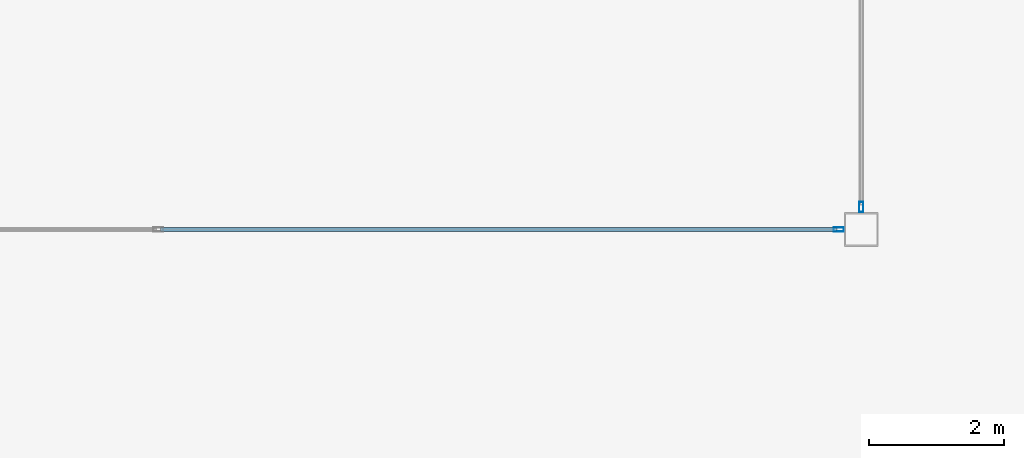
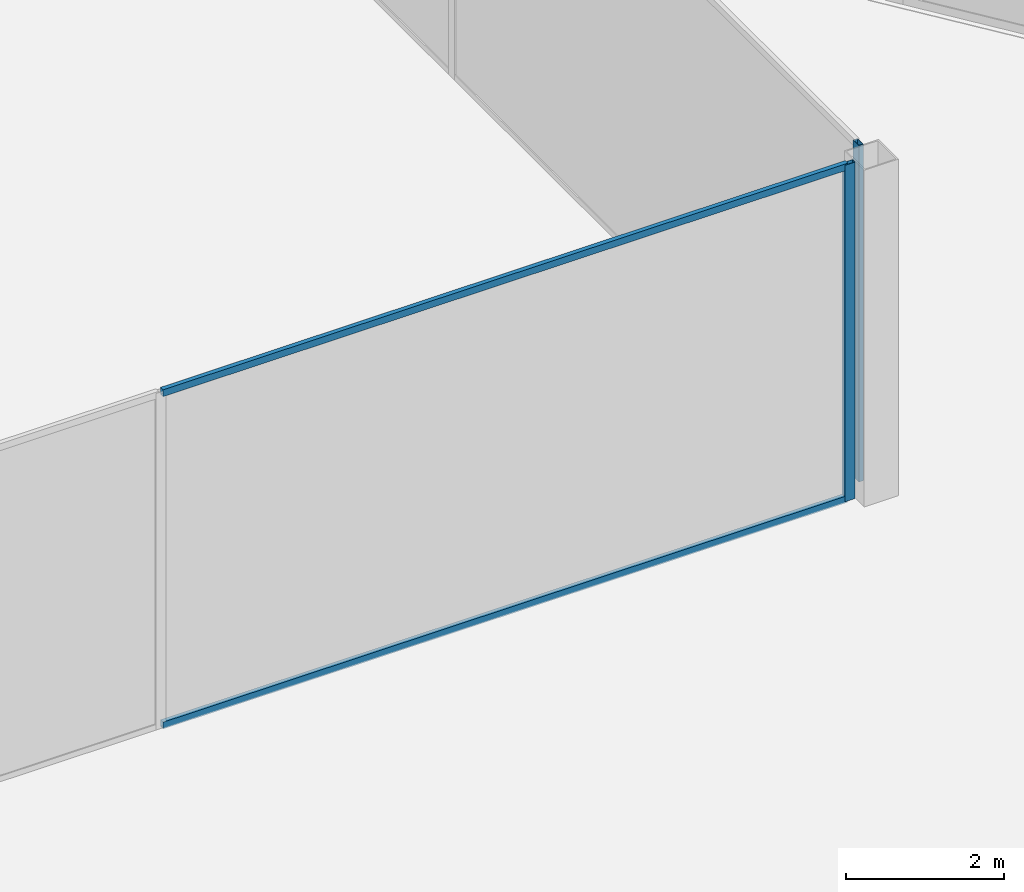
# One storey, part 25 of 83: 4 members, 2 elements without a shape of their own.
"""IFC4 building model written with IfcOpenShell, lengths in metres."""

from ifc_helpers import new_model, si_unit, direction, frame, origin, origin_2d, place, context, subcontext, project, spatial, hollow_rectangle, extrude, material, material_profile, profile_set, type_object, element, aggregate, save


model = new_model("IFC4")

# Units and contexts
model_context = context("Model", 3, precision=1e-05, world=origin(), true_north=direction((0.0, 1.0)))
body_context = subcontext(model_context, "Body", "Model", "MODEL_VIEW")
ifc_project = project(units=[si_unit("LENGTHUNIT", "METRE"), si_unit("AREAUNIT", "SQUARE_METRE"), si_unit("VOLUMEUNIT", "CUBIC_METRE"), si_unit("PLANEANGLEUNIT", "RADIAN"), si_unit("MASSUNIT", "GRAM", prefix="KILO")], contexts=[model_context])

# Site, building, storey
site_placement = place(None, origin())
site = spatial("IfcSite", under=ifc_project, at=site_placement, CompositionType="ELEMENT")
building_placement = place(site_placement, origin())
building = spatial("IfcBuilding", under=site, at=building_placement, Name="Tashvorn Skyway Center", CompositionType="ELEMENT")
storey_placement = place(building_placement, frame((0.0, 0.0, 24.60009765625)))
storey = spatial("IfcBuildingStorey", under=building, at=storey_placement, Name="L05", CompositionType="ELEMENT", Elevation=24.60009765625)

# Curtain wall, member
ifc_material = material(Name="Thermally broken bronze-anodized aluminium 6063-T6", Category="aluminium")
curtain_wall_type = type_object("IfcCurtainWallType", Name="CW-CW-SKY", PredefinedType="NOTDEFINED", material=ifc_material)
curtain_wall_1_placement = place(storey_placement, origin())
curtain_wall_1 = element("IfcCurtainWall", 1, at=curtain_wall_1_placement, inside=storey, type_object=curtain_wall_type, Name="Station Concourse Monitor East Clerestory Curtain Wall", PredefinedType="NOTDEFINED")
ifc_material_profile_1 = material_profile(ifc_material, hollow_rectangle(XDim=0.06494140625, YDim=0.14990234375, WallThickness=0.00390625, at=origin_2d()), Name="ALU-MULL-65x150")
ifc_profile_set_1 = profile_set([ifc_material_profile_1], Name="Thermally broken bronze-anodized aluminium 6063-T6")
member_type_1 = type_object("IfcMemberType", Name="CWM-CW-SKY", PredefinedType="MULLION", material=ifc_profile_set_1)
member_1_placement = place(storey_placement, frame((87.199951171875, 15.132568359375, 0.0), z_axis=(0.0, 0.0, 1.0), x_axis=(1.0, 0.0, 0.0)))
member_1 = element("IfcMember", 2, at=member_1_placement, type_object=member_type_1, Name="CW-SKY mullion 4", PredefinedType="MULLION", context=body_context, shape_type="SweptSolid", body=[
    extrude(hollow_rectangle(XDim=0.06494140625, YDim=0.14990234375, WallThickness=0.00390625, at=origin_2d()), origin(), (0.0, 0.0, 1.0), 5.199951171875),
])
aggregate(curtain_wall_1, [member_1])

# Curtain wall, members
curtain_wall_2_placement = place(storey_placement, origin())
curtain_wall_2 = element("IfcCurtainWall", 3, at=curtain_wall_2_placement, inside=storey, type_object=curtain_wall_type, Name="Station Concourse Monitor South Clerestory Curtain Wall", PredefinedType="NOTDEFINED")
member_2_placement = place(storey_placement, frame((86.867431640625, 14.800048828125, 0.0), z_axis=(0.0, 0.0, 1.0), x_axis=(0.0, -1.0, 0.0)))
member_2 = element("IfcMember", 4, at=member_2_placement, type_object=member_type_1, Name="CW-SKY mullion 1", PredefinedType="MULLION", context=body_context, shape_type="SweptSolid", body=[
    extrude(hollow_rectangle(XDim=0.06494140625, YDim=0.14990234375, WallThickness=0.00390625, at=origin_2d()), origin(), (0.0, 0.0, 1.0), 5.199951171875),
])
ifc_material_profile_2 = material_profile(ifc_material, hollow_rectangle(XDim=0.06494140625, YDim=0.10498046875, WallThickness=0.00390625, at=origin_2d()), Name="ALU-TRAN-65x105")
ifc_profile_set_2 = profile_set([ifc_material_profile_2], Name="Thermally broken bronze-anodized aluminium 6063-T6")
member_type_2 = type_object("IfcMemberType", Name="CWT-CW-SKY", PredefinedType="USERDEFINED", material=ifc_profile_set_2)
member_3_placement = place(storey_placement, frame((86.8349609375, 14.800048828125, 0.032470703125), z_axis=(-1.0, 0.0, 0.0), x_axis=(0.0, -1.0, 0.0)))
member_3 = element("IfcMember", 5, at=member_3_placement, type_object=member_type_2, Name="CW-SKY transom 1.1", ObjectType="TRANSOM", PredefinedType="USERDEFINED", context=body_context, shape_type="SweptSolid", body=[
    extrude(hollow_rectangle(XDim=0.06494140625, YDim=0.10498046875, WallThickness=0.00390625, at=origin_2d()), origin(), (0.0, 0.0, 1.0), 10.00244140625),
])
member_4_placement = place(storey_placement, frame((86.8349609375, 14.800048828125, 5.16748046875), z_axis=(-1.0, 0.0, 0.0), x_axis=(0.0, -1.0, 0.0)))
member_4 = element("IfcMember", 6, at=member_4_placement, type_object=member_type_2, Name="CW-SKY transom 1.2", ObjectType="TRANSOM", PredefinedType="USERDEFINED", context=body_context, shape_type="SweptSolid", body=[
    extrude(hollow_rectangle(XDim=0.06494140625, YDim=0.10498046875, WallThickness=0.00390625, at=origin_2d()), origin(), (0.0, 0.0, 1.0), 10.00244140625),
])
aggregate(curtain_wall_2, [member_2, member_3, member_4])

save(model, "model.ifc")
